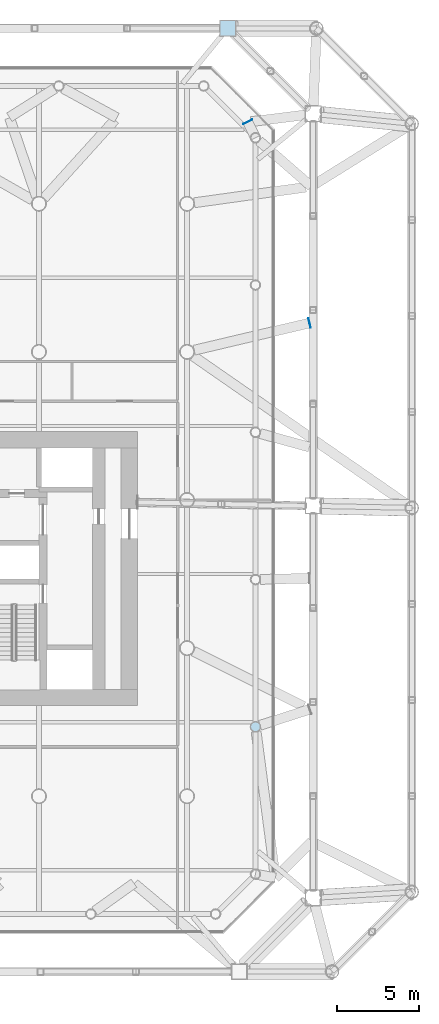
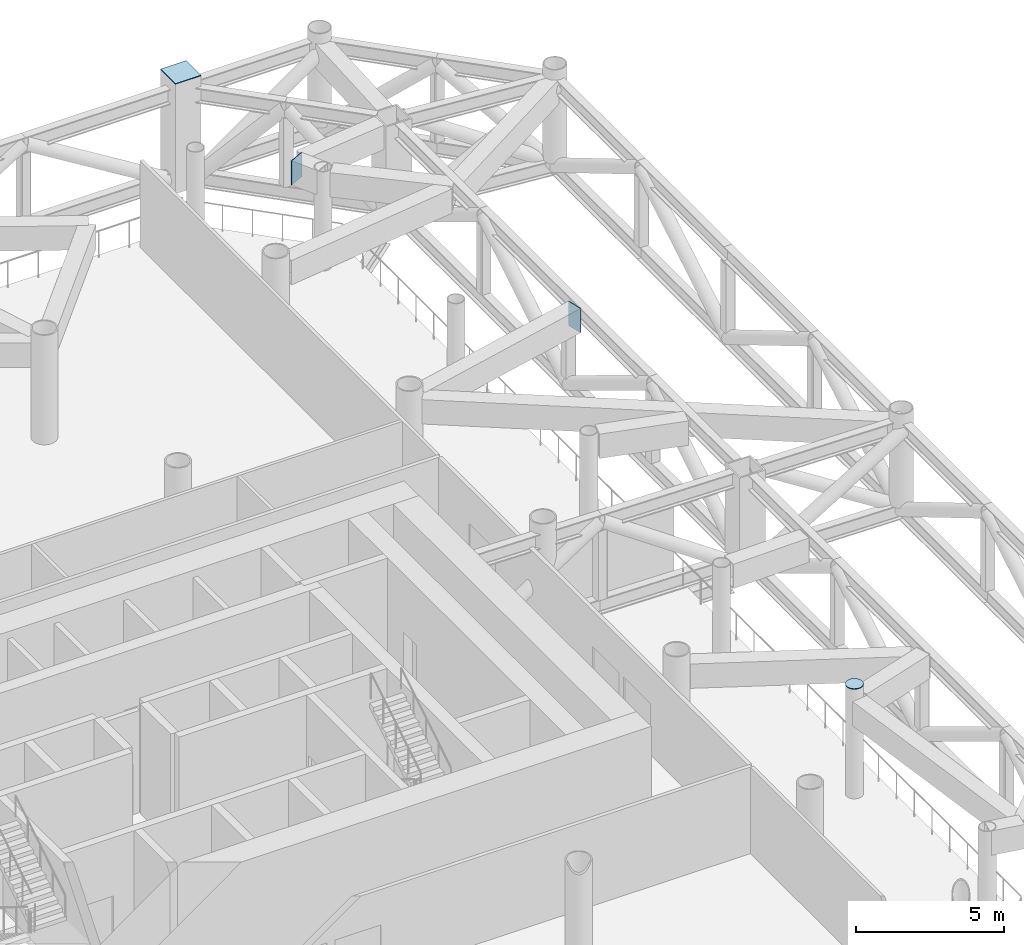
# One storey, part 13 of 22: 4 plates.
"""IFC4 building model written with IfcOpenShell, lengths in metres."""

from ifc_helpers import new_model, si_unit, direction, frame, origin, origin_2d, place, context, subcontext, project, spatial, rectangle, circle, extrude, material, material_profile, profile_set, type_object, element, save


model = new_model("IFC4")

# Units and contexts
model_context = context("Model", 3, precision=1e-05, world=origin(), true_north=direction((0.0, 1.0)))
body_context = subcontext(model_context, "Body", "Model", "MODEL_VIEW")
ifc_project = project(units=[si_unit("LENGTHUNIT", "METRE"), si_unit("AREAUNIT", "SQUARE_METRE"), si_unit("VOLUMEUNIT", "CUBIC_METRE"), si_unit("PLANEANGLEUNIT", "RADIAN"), si_unit("MASSUNIT", "GRAM", prefix="KILO")], contexts=[model_context])

# Site, building, storey
site_placement = place(None, origin())
site = spatial("IfcSite", under=ifc_project, at=site_placement, CompositionType="ELEMENT")
building_placement = place(site_placement, origin())
building = spatial("IfcBuilding", under=site, at=building_placement, Name="Tskaro Facet Tower", CompositionType="ELEMENT")
storey_placement = place(building_placement, frame((0.0, 0.0, 57.60009765625)))
storey = spatial("IfcBuildingStorey", under=building, at=storey_placement, Name="L13", CompositionType="ELEMENT", Elevation=57.60009765625)

# Plates
ifc_material = material(Name="Steel S355J2", Category="steel")
ifc_material_profile_1 = material_profile(ifc_material, rectangle(XDim=1.0, YDim=1.0, at=origin_2d()), Name="PL 1000x1000x30 end plate")
ifc_profile_set_1 = profile_set([ifc_material_profile_1], Name="Steel S355J2")
plate_type_1 = type_object("IfcPlateType", Name="PL 1000x1000x30 end plate", PredefinedType="SHEET", material=ifc_profile_set_1)
plate_1_placement = place(storey_placement, frame((20.462890625, 28.658935546875, 4.5), z_axis=(0.0, 0.0, 1.0), x_axis=(1.0, 0.0, 0.0)))
element("IfcPlate", 1, at=plate_1_placement, inside=storey, type_object=plate_type_1, Name="End plate CP4-04", PredefinedType="SHEET", context=body_context, shape_type="SweptSolid", body=[
    extrude(rectangle(XDim=1.0, YDim=1.0, at=origin_2d()), origin(), (0.0, 0.0, 1.0), 0.02978515625),
])
ifc_material_profile_2 = material_profile(ifc_material, rectangle(XDim=0.60009765625, YDim=1.0, at=origin_2d()), Name="PL 600x1000x30 end plate")
ifc_profile_set_2 = profile_set([ifc_material_profile_2], Name="Steel S355J2")
plate_type_2 = type_object("IfcPlateType", Name="PL 600x1000x30 end plate", PredefinedType="SHEET", material=ifc_profile_set_2)
for number, where, z_axis, x_axis, name in (
    (2, (21.68994140625, 22.965087890625, 3.579833984375), (-0.440673190639, 0.897667610562, 0.0), (-0.897667610562, -0.440673190639, 0.0), "End plate CP8-01"),
    (3, (25.4296875, 10.752685546875, 3.579833984375), (0.973841209742, 0.227229615606, 0.0), (-0.227229615606, 0.973841209742, 0.0), "End plate CP8-08"),
):
    element("IfcPlate", number, at=place(storey_placement, frame(where, z_axis=z_axis, x_axis=x_axis)), inside=storey, type_object=plate_type_2, Name=name, PredefinedType="SHEET", context=body_context, shape_type="SweptSolid", body=[
        extrude(rectangle(XDim=0.60009765625, YDim=1.0, at=origin_2d()), origin(), (0.0, 0.0, 1.0), 0.030029296875),
    ])
ifc_material_profile_3 = material_profile(ifc_material, circle(Radius=0.304931640625, at=origin_2d()), Name="PL 610 dia x30 end plate")
ifc_profile_set_3 = profile_set([ifc_material_profile_3], Name="Steel S355J2")
plate_type_3 = type_object("IfcPlateType", Name="PL 610 dia x30 end plate", PredefinedType="SHEET", material=ifc_profile_set_3)
plate_2_placement = place(storey_placement, frame((22.156982421875, -13.781005859375, 4.5), z_axis=(0.0, 0.0, 1.0), x_axis=(1.0, 0.0, 0.0)))
element("IfcPlate", 4, at=plate_2_placement, inside=storey, type_object=plate_type_3, Name="End plate CP2-01", PredefinedType="SHEET", context=body_context, shape_type="SweptSolid", body=[
    extrude(circle(Radius=0.304931640625, at=origin_2d()), origin(), (0.0, 0.0, 1.0), 0.02978515625),
])

save(model, "model.ifc")
